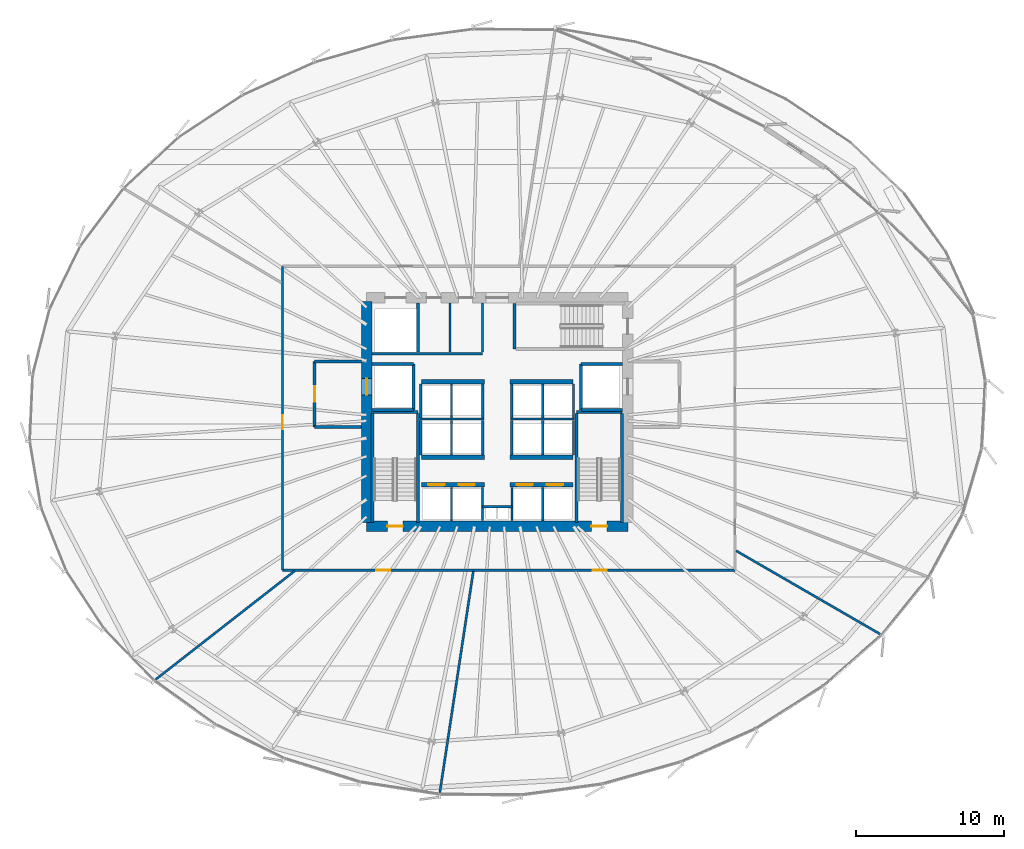
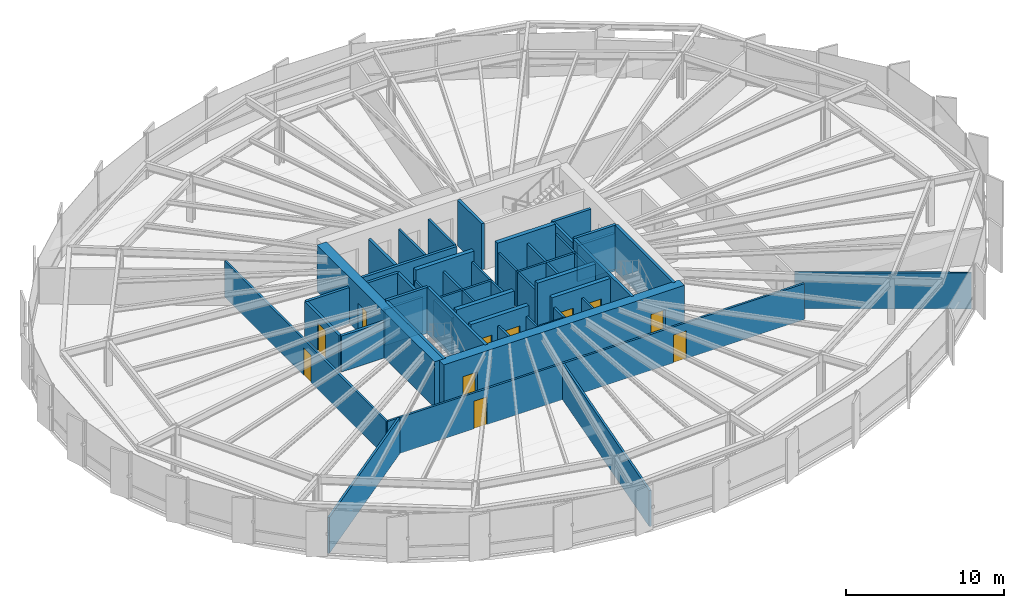
# One storey, part 32 of 39: 52 walls, 11 doors, 11 openings.
"""IFC4 building model written with IfcOpenShell, lengths in metres."""

from ifc_helpers import new_model, si_unit, direction, frame, frame_2d, origin, place, context, subcontext, project, spatial, rectangle, extrude, source, transform, mapped, material, layer, layer_set, type_object, element, fill, save


model = new_model("IFC4")

# Units and contexts
model_context = context("Model", 3, precision=1e-05, world=origin(), true_north=direction((0.0, 1.0)))
body_context = subcontext(model_context, "Body", "Model", "MODEL_VIEW")
ifc_project = project(units=[si_unit("LENGTHUNIT", "METRE"), si_unit("AREAUNIT", "SQUARE_METRE"), si_unit("VOLUMEUNIT", "CUBIC_METRE"), si_unit("PLANEANGLEUNIT", "RADIAN"), si_unit("MASSUNIT", "GRAM", prefix="KILO"), si_unit("THERMODYNAMICTEMPERATUREUNIT", "KELVIN")], contexts=[model_context])

# Site, building, storey
site_placement = place(None, origin())
site = spatial("IfcSite", under=ifc_project, at=site_placement, CompositionType="ELEMENT")
building_placement = place(site_placement, origin())
building = spatial("IfcBuilding", under=site, at=building_placement, Name="Kethvar Cultural Tower", CompositionType="ELEMENT")
storey_placement = place(building_placement, frame((0.0, 0.0, 44.800048828125)))
storey = spatial("IfcBuildingStorey", under=building, at=storey_placement, Name="L10", CompositionType="ELEMENT", Elevation=44.800048828125)

# Wall, openings, doors
ifc_material_1 = material(Name="Concrete C60/75", Category="concrete")
ifc_layer_1 = layer(ifc_material_1, 0.699951171875, Name="Concrete C60/75", Category="concrete")
ifc_layer_set_1 = layer_set([ifc_layer_1], Name="Concrete C60/75 (700 mm)")
wall_type_1 = type_object("IfcWallType", Name="WL-CORE-700", PredefinedType="SHEAR", material=ifc_layer_set_1)
wall_1_placement = place(storey_placement, frame((38.0, 20.10009765625, 0.0), z_axis=(0.0, 0.0, 1.0), x_axis=(1.0, 0.0, 0.0)))
wall_1 = element("IfcWall", 1, at=wall_1_placement, inside=storey, type_object=wall_type_1, Name="L10 Core Shear Wall S", PredefinedType="SHEAR", context=body_context, shape_type="SweptSolid", body=[
    extrude(rectangle(XDim=17.60009765625, YDim=0.699951171875, at=frame_2d((8.800048828125, 0.0))), origin(), (0.0, 0.0, 1.0), 3.550048828125),
])
opening_1_placement = place(wall_1_placement, frame((1.39990234375, 0.0, 0.0)))
opening_1 = element("IfcOpeningElement", 2, at=opening_1_placement, cuts=wall_1, Name="Opening D-L10-S1", PredefinedType="OPENING", context=body_context, shape_type="SweptSolid", body=[
    extrude(rectangle(XDim=1.050048828125, YDim=2.14990234375, at=frame_2d((0.52490234375, 1.074951171875))), frame((0.0, 0.35986328125, 0.0), z_axis=(0.0, -1.0, 0.0), x_axis=(1.0, 0.0, 0.0)), (0.0, 0.0, 1.0), 0.719970703125),
])
opening_2_placement = place(wall_1_placement, frame((15.14990234375, 0.0, 0.0)))
opening_2 = element("IfcOpeningElement", 3, at=opening_2_placement, cuts=wall_1, Name="Opening D-L10-ST2", PredefinedType="OPENING", context=body_context, shape_type="SweptSolid", body=[
    extrude(rectangle(XDim=1.050048828125, YDim=2.14990234375, at=frame_2d((0.52490234375, 1.074951171875))), frame((0.0, 0.35986328125, 0.0), z_axis=(0.0, -1.0, 0.0), x_axis=(1.0, 0.0, 0.0)), (0.0, 0.0, 1.0), 0.719970703125),
])
ifc_material_2 = material(Name="Steel S355J2", Category="steel")
door_type_1 = type_object("IfcDoorType", Name="DR-FD60-1050", OperationType="NOTDEFINED", PredefinedType="DOOR", material=ifc_material_2)
shared_shape_1 = source(origin(), body_context, "Body", "SweptSolid", [
    extrude(rectangle(XDim=1.050048828125, YDim=2.14990234375, at=frame_2d((0.52490234375, 1.074951171875))), frame((0.0, 0.02490234375, 0.0), z_axis=(0.0, -1.0, 0.0), x_axis=(1.0, 0.0, 0.0)), (0.0, 0.0, 1.0), 0.050048828125),
])
door_1_placement = place(opening_1_placement, origin())
door_1 = element("IfcDoor", 4, at=door_1_placement, inside=storey, type_object=door_type_1, Name="L10 Exit Stair 1 Door", OperationType="SINGLE_SWING_LEFT", OverallHeight=2.14990234375, OverallWidth=1.050048828125, PredefinedType="DOOR", context=body_context, shape_type="MappedRepresentation", body=[
    mapped(shared_shape_1, transform((0.0, 0.0, 0.0), scale=1.0)),
])
fill(opening_1, door_1)
door_2_placement = place(opening_2_placement, origin())
door_2 = element("IfcDoor", 5, at=door_2_placement, inside=storey, type_object=door_type_1, Name="L10 Exit Stair 2 Door", OperationType="SINGLE_SWING_RIGHT", OverallHeight=2.14990234375, OverallWidth=1.050048828125, PredefinedType="DOOR", context=body_context, shape_type="MappedRepresentation", body=[
    mapped(shared_shape_1, transform((0.0, 0.0, 0.0), scale=1.0)),
])
fill(opening_2, door_2)

# Wall, opening, door
wall_2_placement = place(storey_placement, frame((38.0, 35.260009765625, 0.0), z_axis=(0.0, 0.0, 1.0), x_axis=(0.0, -1.0, 0.0)))
wall_2 = element("IfcWall", 6, at=wall_2_placement, inside=storey, type_object=wall_type_1, Name="L10 Core Shear Wall W", PredefinedType="SHEAR", context=body_context, shape_type="SweptSolid", body=[
    extrude(rectangle(XDim=14.919921875, YDim=0.699951171875, at=frame_2d((7.4599609375, 0.0))), origin(), (0.0, 0.0, 1.0), 3.550048828125),
])
opening_3_placement = place(wall_2_placement, frame((5.2099609375, 0.0, 0.0)))
opening_3 = element("IfcOpeningElement", 7, at=opening_3_placement, cuts=wall_2, Name="Opening LD-1", PredefinedType="OPENING", context=body_context, shape_type="SweptSolid", body=[
    extrude(rectangle(XDim=1.10009765625, YDim=2.199951171875, at=frame_2d((0.550048828125, 1.10009765625))), frame((0.0, 0.35986328125, 0.0), z_axis=(0.0, -1.0, 0.0), x_axis=(1.0, 0.0, 0.0)), (0.0, 0.0, 1.0), 0.719970703125),
])
door_type_2 = type_object("IfcDoorType", Name="DR-LIFT-SLIDE-1100", OperationType="NOTDEFINED", PredefinedType="DOOR", material=ifc_material_2)
shared_shape_2 = source(origin(), body_context, "Body", "SweptSolid", [
    extrude(rectangle(XDim=1.10009765625, YDim=2.199951171875, at=frame_2d((0.550048828125, 1.10009765625))), frame((0.0, 0.02490234375, 0.0), z_axis=(0.0, -1.0, 0.0), x_axis=(1.0, 0.0, 0.0)), (0.0, 0.0, 1.0), 0.050048828125),
])
door_3_placement = place(opening_3_placement, origin())
door_3 = element("IfcDoor", 8, at=door_3_placement, inside=storey, type_object=door_type_2, Name="L10 Firefighting Lift Landing Door FFL-01", OperationType="SLIDING_TO_LEFT", OverallHeight=2.199951171875, OverallWidth=1.10009765625, PredefinedType="DOOR", context=body_context, shape_type="MappedRepresentation", body=[
    mapped(shared_shape_2, transform((0.0, 0.0, 0.0), scale=1.0)),
])
fill(opening_3, door_3)

# Walls
ifc_material_3 = material(Name="Gypsum Fireboard Partition")
ifc_layer_2 = layer(ifc_material_3, 0.14990234375, Name="Gypsum Fireboard Partition")
ifc_layer_set_2 = layer_set([ifc_layer_2], Name="Gypsum Fireboard Partition (150 mm)")
wall_type_2 = type_object("IfcWallType", Name="WL-FIRE-150", PredefinedType="PARTITIONING", material=ifc_layer_set_2)
wall_3_placement = place(storey_placement, frame((45.800048828125, 21.419921875, 0.0), z_axis=(0.0, 0.0, 1.0), x_axis=(1.0, 0.0, 0.0)))
element("IfcWall", 9, at=wall_3_placement, inside=storey, type_object=wall_type_2, Name="L10 Core Riser Wall", PredefinedType="PARTITIONING", context=body_context, shape_type="SweptSolid", body=[
    extrude(rectangle(XDim=2.0, YDim=0.14990234375, at=frame_2d((1.0, 0.0))), origin(), (0.0, 0.0, 1.0), 2.784912109375),
])
for number, where, z_axis, x_axis, name in (
    (10, (45.800048828125, 20.47998046875, 0.0), (0.0, 0.0, 1.0), (0.0, 1.0, 0.0), "L10 Core Riser West Wall"),
    (11, (47.800048828125, 20.47998046875, 0.0), (0.0, 0.0, 1.0), (0.0, 1.0, 0.0), "L10 Core Riser East Wall"),
):
    element("IfcWall", number, at=place(storey_placement, frame(where, z_axis=z_axis, x_axis=x_axis)), inside=storey, type_object=wall_type_2, Name=name, PredefinedType="PARTITIONING", context=body_context, shape_type="SweptSolid", body=[
        extrude(rectangle(XDim=2.239990234375, YDim=0.14990234375, at=frame_2d((1.1201171875, 0.0))), origin(), (0.0, 0.0, 1.0), 2.784912109375),
    ])
for number, where, z_axis, x_axis, name in (
    (12, (43.72509765625, 20.4599609375, 0.0), (0.0, 0.0, 1.0), (0.0, 1.0, 0.0), "L10 Low-Rise Lift Shaft Divider W"),
    (13, (49.875, 20.4599609375, 0.0), (0.0, 0.0, 1.0), (0.0, 1.0, 0.0), "L10 Low-Rise Lift Shaft Divider E"),
):
    element("IfcWall", number, at=place(storey_placement, frame(where, z_axis=z_axis, x_axis=x_axis)), inside=storey, type_object=wall_type_2, Name=name, PredefinedType="PARTITIONING", context=body_context, shape_type="SweptSolid", body=[
        extrude(rectangle(XDim=2.27001953125, YDim=0.14990234375, at=frame_2d((1.135009765625, 0.0))), origin(), (0.0, 0.0, 1.0), 2.784912109375),
    ])
wall_4_placement = place(storey_placement, frame((41.580078125, 27.324951171875, 0.0), z_axis=(0.0, 0.0, 1.0), x_axis=(1.0, 0.0, 0.0)))
element("IfcWall", 14, at=wall_4_placement, inside=storey, type_object=wall_type_2, Name="L10 Mid-High Lift Shaft Back Wall W", PredefinedType="PARTITIONING", context=body_context, shape_type="SweptSolid", body=[
    extrude(rectangle(XDim=4.31982421875, YDim=0.14990234375, at=frame_2d((2.159912109375, 0.0))), origin(), (0.0, 0.0, 1.0), 2.784912109375),
])
wall_5_placement = place(storey_placement, frame((47.699951171875, 27.324951171875, 0.0), z_axis=(0.0, 0.0, 1.0), x_axis=(1.0, 0.0, 0.0)))
element("IfcWall", 15, at=wall_5_placement, inside=storey, type_object=wall_type_2, Name="L10 Mid-High Lift Shaft Back Wall E", PredefinedType="PARTITIONING", context=body_context, shape_type="SweptSolid", body=[
    extrude(rectangle(XDim=4.320068359375, YDim=0.14990234375, at=frame_2d((2.16015625, 0.0))), origin(), (0.0, 0.0, 1.0), 2.784912109375),
])
for number, where, z_axis, x_axis, name in (
    (16, (41.64990234375, 24.919921875, 0.0), (0.0, 0.0, 1.0), (0.0, 1.0, 0.0), "L10 Mid-Rise Lift Shaft Outer Wall W"),
    (17, (43.72509765625, 24.919921875, 0.0), (0.0, 0.0, 1.0), (0.0, 1.0, 0.0), "L10 Mid-Rise Lift Shaft Divider W"),
    (18, (45.824951171875, 24.919921875, 0.0), (0.0, 0.0, 1.0), (0.0, 1.0, 0.0), "L10 Mid-Rise Lift Shaft Concourse Wall W"),
    (19, (47.77490234375, 24.919921875, 0.0), (0.0, 0.0, 1.0), (0.0, 1.0, 0.0), "L10 Mid-Rise Lift Shaft Concourse Wall E"),
    (20, (49.875, 24.919921875, 0.0), (0.0, 0.0, 1.0), (0.0, 1.0, 0.0), "L10 Mid-Rise Lift Shaft Divider E"),
    (21, (51.949951171875, 24.919921875, 0.0), (0.0, 0.0, 1.0), (0.0, 1.0, 0.0), "L10 Mid-Rise Lift Shaft Outer Wall E"),
):
    element("IfcWall", number, at=place(storey_placement, frame(where, z_axis=z_axis, x_axis=x_axis)), inside=storey, type_object=wall_type_2, Name=name, PredefinedType="PARTITIONING", context=body_context, shape_type="SweptSolid", body=[
        extrude(rectangle(XDim=2.320068359375, YDim=0.14990234375, at=frame_2d((1.16015625, 0.0))), origin(), (0.0, 0.0, 1.0), 2.784912109375),
    ])
for number, where, z_axis, x_axis, name in (
    (22, (41.64990234375, 27.409912109375, 0.0), (0.0, 0.0, 1.0), (0.0, 1.0, 0.0), "L10 High-Rise Lift Shaft Outer Wall W"),
    (23, (43.72509765625, 27.409912109375, 0.0), (0.0, 0.0, 1.0), (0.0, 1.0, 0.0), "L10 High-Rise Lift Shaft Divider W"),
    (24, (45.824951171875, 27.409912109375, 0.0), (0.0, 0.0, 1.0), (0.0, 1.0, 0.0), "L10 High-Rise Lift Shaft Concourse Wall W"),
    (25, (47.77490234375, 27.409912109375, 0.0), (0.0, 0.0, 1.0), (0.0, 1.0, 0.0), "L10 High-Rise Lift Shaft Concourse Wall E"),
    (26, (49.875, 27.409912109375, 0.0), (0.0, 0.0, 1.0), (0.0, 1.0, 0.0), "L10 High-Rise Lift Shaft Divider E"),
    (27, (51.949951171875, 27.409912109375, 0.0), (0.0, 0.0, 1.0), (0.0, 1.0, 0.0), "L10 High-Rise Lift Shaft Outer Wall E"),
):
    element("IfcWall", number, at=place(storey_placement, frame(where, z_axis=z_axis, x_axis=x_axis)), inside=storey, type_object=wall_type_2, Name=name, PredefinedType="PARTITIONING", context=body_context, shape_type="SweptSolid", body=[
        extrude(rectangle(XDim=2.27001953125, YDim=0.14990234375, at=frame_2d((1.135009765625, 0.0))), origin(), (0.0, 0.0, 1.0), 2.784912109375),
    ])
wall_6_placement = place(storey_placement, frame((45.800048828125, 31.85009765625, 0.0), z_axis=(0.0, 0.0, 1.0), x_axis=(0.0, 1.0, 0.0)))
element("IfcWall", 28, at=wall_6_placement, inside=storey, type_object=wall_type_2, Name="L10 Sanitary Spine Wall", PredefinedType="PARTITIONING", context=body_context, shape_type="SweptSolid", body=[
    extrude(rectangle(XDim=3.289794921875, YDim=0.14990234375, at=frame_2d((1.64501953125, 0.0))), origin(), (0.0, 0.0, 1.0), 2.784912109375),
])

# Wall, openings, doors
wall_7_placement = place(storey_placement, frame((32.330078125, 17.139892578125, 0.0), z_axis=(0.0, 0.0, 1.0), x_axis=(1.0, 0.0, 0.0)))
wall_7 = element("IfcWall", 29, at=wall_7_placement, inside=storey, type_object=wall_type_2, Name="L10 Corridor Rated Wall S", PredefinedType="PARTITIONING", context=body_context, shape_type="SweptSolid", body=[
    extrude(rectangle(XDim=30.5, YDim=0.14990234375, at=frame_2d((15.25, 0.0))), origin(), (0.0, 0.0, 1.0), 2.784912109375),
])
opening_4_placement = place(wall_7_placement, frame((6.31591796875, 0.0, 0.0)))
opening_4 = element("IfcOpeningElement", 30, at=opening_4_placement, cuts=wall_7, Name="Opening D-L10-01", PredefinedType="OPENING", context=body_context, shape_type="SweptSolid", body=[
    extrude(rectangle(XDim=0.949951171875, YDim=2.14990234375, at=frame_2d((0.47509765625, 1.074951171875))), frame((0.0, 0.0849609375, 0.0), z_axis=(0.0, -1.0, 0.0), x_axis=(1.0, 0.0, 0.0)), (0.0, 0.0, 1.0), 0.169921875),
])
opening_5_placement = place(wall_7_placement, frame((20.918212890625, 0.0, 0.0)))
opening_5 = element("IfcOpeningElement", 31, at=opening_5_placement, cuts=wall_7, Name="Opening D-L10-02", PredefinedType="OPENING", context=body_context, shape_type="SweptSolid", body=[
    extrude(rectangle(XDim=0.949951171875, YDim=2.14990234375, at=frame_2d((0.47509765625, 1.074951171875))), frame((0.0, 0.0849609375, 0.0), z_axis=(0.0, -1.0, 0.0), x_axis=(1.0, 0.0, 0.0)), (0.0, 0.0, 1.0), 0.169921875),
])
ifc_material_4 = material(Name="Architectural Oak Timber", Category="wood")
door_type_3 = type_object("IfcDoorType", Name="DR-FD30-950", OperationType="NOTDEFINED", PredefinedType="DOOR", material=ifc_material_4)
shared_shape_3 = source(origin(), body_context, "Body", "SweptSolid", [
    extrude(rectangle(XDim=0.949951171875, YDim=2.14990234375, at=frame_2d((0.47509765625, 1.074951171875))), frame((0.0, 0.02490234375, 0.0), z_axis=(0.0, -1.0, 0.0), x_axis=(1.0, 0.0, 0.0)), (0.0, 0.0, 1.0), 0.050048828125),
])
door_4_placement = place(opening_4_placement, origin())
door_4 = element("IfcDoor", 32, at=door_4_placement, inside=storey, type_object=door_type_3, Name="L10 Institutional Tenant Office 01 Door", OperationType="SINGLE_SWING_LEFT", OverallHeight=2.14990234375, OverallWidth=0.949951171875, PredefinedType="DOOR", context=body_context, shape_type="MappedRepresentation", body=[
    mapped(shared_shape_3, transform((0.0, 0.0, 0.0), scale=1.0)),
])
fill(opening_4, door_4)
door_5_placement = place(opening_5_placement, origin())
door_5 = element("IfcDoor", 33, at=door_5_placement, inside=storey, type_object=door_type_3, Name="L10 Editorial Partner Office 02 Door", OperationType="SINGLE_SWING_RIGHT", OverallHeight=2.14990234375, OverallWidth=0.949951171875, PredefinedType="DOOR", context=body_context, shape_type="MappedRepresentation", body=[
    mapped(shared_shape_3, transform((0.0, 0.0, 0.0), scale=1.0)),
])
fill(opening_5, door_5)

# Wall, opening, door
wall_8_placement = place(storey_placement, frame((32.330078125, 37.6201171875, 0.0), z_axis=(0.0, 0.0, 1.0), x_axis=(0.0, -1.0, 0.0)))
wall_8 = element("IfcWall", 34, at=wall_8_placement, inside=storey, type_object=wall_type_2, Name="L10 Corridor Rated Wall W", PredefinedType="PARTITIONING", context=body_context, shape_type="SweptSolid", body=[
    extrude(rectangle(XDim=20.480224609375, YDim=0.14990234375, at=frame_2d((10.240234375, 0.0))), origin(), (0.0, 0.0, 1.0), 2.784912109375),
])
opening_6_placement = place(wall_8_placement, frame((10.02783203125, 0.0, 0.0)))
opening_6 = element("IfcOpeningElement", 35, at=opening_6_placement, cuts=wall_8, Name="Opening D-L10-07", PredefinedType="OPENING", context=body_context, shape_type="SweptSolid", body=[
    extrude(rectangle(XDim=0.949951171875, YDim=2.14990234375, at=frame_2d((0.47509765625, 1.074951171875))), frame((0.0, 0.0849609375, 0.0), z_axis=(0.0, -1.0, 0.0), x_axis=(1.0, 0.0, 0.0)), (0.0, 0.0, 1.0), 0.169921875),
])
door_6_placement = place(opening_6_placement, origin())
door_6 = element("IfcDoor", 36, at=door_6_placement, inside=storey, type_object=door_type_3, Name="L10 Curatorial Concierge Foyer 07 Door", OperationType="SINGLE_SWING_LEFT", OverallHeight=2.14990234375, OverallWidth=0.949951171875, PredefinedType="DOOR", context=body_context, shape_type="MappedRepresentation", body=[
    mapped(shared_shape_3, transform((0.0, 0.0, 0.0), scale=1.0)),
])
fill(opening_6, door_6)

# Walls
ifc_material_5 = material(Name="Concrete C40/50", Category="concrete")
ifc_layer_3 = layer(ifc_material_5, 0.199951171875, Name="Concrete C40/50", Category="concrete")
ifc_layer_set_3 = layer_set([ifc_layer_3], Name="Concrete C40/50 (200 mm)")
wall_type_3 = type_object("IfcWallType", Name="WL-FIRE-200", PredefinedType="PARTITIONING", material=ifc_layer_set_3)
wall_9_placement = place(storey_placement, frame((41.14990234375, 27.949951171875, 0.0), z_axis=(0.0, 0.0, 1.0), x_axis=(0.0, 1.0, 0.0)))
element("IfcWall", 37, at=wall_9_placement, inside=storey, type_object=wall_type_3, Name="L10 FFL-01 Shaft Inner Wall", PredefinedType="PARTITIONING", context=body_context, shape_type="SweptSolid", body=[
    extrude(rectangle(XDim=3.10009765625, YDim=0.199951171875, at=frame_2d((1.550048828125, 0.0))), origin(), (0.0, 0.0, 1.0), 2.784912109375),
])
for number, where, z_axis, x_axis, name in (
    (38, (38.360107421875, 27.949951171875, 0.0), (0.0, 0.0, 1.0), (1.0, 0.0, 0.0), "L10 FFL-01 Shaft South Wall"),
    (39, (38.360107421875, 31.050048828125, 0.0), (0.0, 0.0, 1.0), (1.0, 0.0, 0.0), "L10 FFL-01 Shaft North Wall"),
):
    element("IfcWall", number, at=place(storey_placement, frame(where, z_axis=z_axis, x_axis=x_axis)), inside=storey, type_object=wall_type_3, Name=name, PredefinedType="PARTITIONING", context=body_context, shape_type="SweptSolid", body=[
        extrude(rectangle(XDim=2.789794921875, YDim=0.199951171875, at=frame_2d((1.39501953125, 0.0))), origin(), (0.0, 0.0, 1.0), 2.784912109375),
    ])

# Wall, opening, door
wall_10_placement = place(storey_placement, frame((34.5, 31.199951171875, 0.0), z_axis=(0.0, 0.0, 1.0), x_axis=(0.0, -1.0, 0.0)))
wall_10 = element("IfcWall", 40, at=wall_10_placement, inside=storey, type_object=wall_type_3, Name="L10 Firefighting Lobby 1 Wall", PredefinedType="PARTITIONING", context=body_context, shape_type="SweptSolid", body=[
    extrude(rectangle(XDim=4.39990234375, YDim=0.199951171875, at=frame_2d((2.199951171875, 0.0))), origin(), (0.0, 0.0, 1.0), 2.784912109375),
])
opening_7_placement = place(wall_10_placement, frame((1.64990234375, 0.0, 0.0)))
opening_7 = element("IfcOpeningElement", 41, at=opening_7_placement, cuts=wall_10, Name="Opening D-L10-F1", PredefinedType="OPENING", context=body_context, shape_type="SweptSolid", body=[
    extrude(rectangle(XDim=1.050048828125, YDim=2.14990234375, at=frame_2d((0.52490234375, 1.074951171875))), frame((0.0, 0.10986328125, 0.0), z_axis=(0.0, -1.0, 0.0), x_axis=(1.0, 0.0, 0.0)), (0.0, 0.0, 1.0), 0.219970703125),
])
door_7_placement = place(opening_7_placement, origin())
door_7 = element("IfcDoor", 42, at=door_7_placement, inside=storey, type_object=door_type_1, Name="L10 Firefighting Lobby 1 Fire Door", OperationType="SINGLE_SWING_LEFT", OverallHeight=2.14990234375, OverallWidth=1.050048828125, PredefinedType="DOOR", context=body_context, shape_type="MappedRepresentation", body=[
    mapped(shared_shape_1, transform((0.0, 0.0, 0.0), scale=1.0)),
])
fill(opening_7, door_7)

# Walls
for number, where, z_axis, x_axis, name in (
    (43, (34.5, 26.800048828125, 0.0), (0.0, 0.0, 1.0), (1.0, 0.0, 0.0), "L10 FF Lobby 1 South Wall"),
    (44, (34.5, 31.199951171875, 0.0), (0.0, 0.0, 1.0), (1.0, 0.0, 0.0), "L10 FF Lobby 1 North Wall"),
):
    element("IfcWall", number, at=place(storey_placement, frame(where, z_axis=z_axis, x_axis=x_axis)), inside=storey, type_object=wall_type_3, Name=name, PredefinedType="PARTITIONING", context=body_context, shape_type="SweptSolid", body=[
        extrude(rectangle(XDim=3.139892578125, YDim=0.199951171875, at=frame_2d((1.56982421875, 0.0))), origin(), (0.0, 0.0, 1.0), 2.784912109375),
    ])
wall_11_placement = place(storey_placement, frame((52.449951171875, 27.949951171875, 0.0), z_axis=(0.0, 0.0, 1.0), x_axis=(0.0, 1.0, 0.0)))
element("IfcWall", 45, at=wall_11_placement, inside=storey, type_object=wall_type_3, Name="L10 FFL-02 Shaft Inner Wall", PredefinedType="PARTITIONING", context=body_context, shape_type="SweptSolid", body=[
    extrude(rectangle(XDim=3.10009765625, YDim=0.199951171875, at=frame_2d((1.550048828125, 0.0))), origin(), (0.0, 0.0, 1.0), 2.784912109375),
])
for number, where, z_axis, x_axis, name in (
    (46, (52.449951171875, 27.949951171875, 0.0), (0.0, 0.0, 1.0), (1.0, 0.0, 0.0), "L10 FFL-02 Shaft South Wall"),
    (47, (52.449951171875, 31.050048828125, 0.0), (0.0, 0.0, 1.0), (1.0, 0.0, 0.0), "L10 FFL-02 Shaft North Wall"),
):
    element("IfcWall", number, at=place(storey_placement, frame(where, z_axis=z_axis, x_axis=x_axis)), inside=storey, type_object=wall_type_3, Name=name, PredefinedType="PARTITIONING", context=body_context, shape_type="SweptSolid", body=[
        extrude(rectangle(XDim=2.7900390625, YDim=0.199951171875, at=frame_2d((1.39501953125, 0.0))), origin(), (0.0, 0.0, 1.0), 2.784912109375),
    ])
wall_12_placement = place(storey_placement, frame((41.449951171875, 31.85009765625, 0.0), z_axis=(0.0, 0.0, 1.0), x_axis=(0.0, 1.0, 0.0)))
element("IfcWall", 48, at=wall_12_placement, inside=storey, type_object=wall_type_3, Name="L10 NW Core Pocket Wall", PredefinedType="PARTITIONING", context=body_context, shape_type="SweptSolid", body=[
    extrude(rectangle(XDim=3.289794921875, YDim=0.199951171875, at=frame_2d((1.64501953125, 0.0))), origin(), (0.0, 0.0, 1.0), 2.784912109375),
])
wall_13_placement = place(storey_placement, frame((38.360107421875, 31.72998046875, 0.0), z_axis=(0.0, 0.0, 1.0), x_axis=(1.0, 0.0, 0.0)))
element("IfcWall", 49, at=wall_13_placement, inside=storey, type_object=wall_type_3, Name="L10 North Core Sanitary South Wall", PredefinedType="PARTITIONING", context=body_context, shape_type="SweptSolid", body=[
    extrude(rectangle(XDim=7.43994140625, YDim=0.199951171875, at=frame_2d((3.719970703125, 0.0))), origin(), (0.0, 0.0, 1.0), 2.784912109375),
])
ifc_material_6 = material(Name="Gypsum Acoustic Partition")
ifc_layer_4 = layer(ifc_material_6, 0.14990234375, Name="Gypsum Acoustic Partition")
ifc_layer_set_4 = layer_set([ifc_layer_4], Name="Gypsum Acoustic Partition (150 mm)")
wall_type_4 = type_object("IfcWallType", Name="WL-PART-150", PredefinedType="PARTITIONING", material=ifc_layer_set_4)
wall_14_placement = place(storey_placement, frame((33.153076171875, 17.0908203125, 0.0), z_axis=(0.0, 0.0, 1.0), x_axis=(-0.788396026169, -0.61516803064, 0.0)))
element("IfcWall", 50, at=wall_14_placement, inside=storey, type_object=wall_type_4, Name="L10 Radial Partition Wall 01", PredefinedType="PARTITIONING", context=body_context, shape_type="SweptSolid", body=[
    extrude(rectangle(XDim=11.876708984375, YDim=0.14990234375, at=frame_2d((5.9384765625, 0.0))), origin(), (0.0, 0.0, 1.0), 2.784912109375),
])
wall_15_placement = place(storey_placement, frame((45.1875, 17.060791015625, 0.0), z_axis=(0.0, 0.0, 1.0), x_axis=(-0.149578810885, -0.988749806237, 0.0)))
element("IfcWall", 51, at=wall_15_placement, inside=storey, type_object=wall_type_4, Name="L10 Radial Partition Wall 02", PredefinedType="PARTITIONING", context=body_context, shape_type="SweptSolid", body=[
    extrude(rectangle(XDim=15.066650390625, YDim=0.14990234375, at=frame_2d((7.533203125, 0.0))), origin(), (0.0, 0.0, 1.0), 2.784912109375),
])
wall_16_placement = place(storey_placement, frame((62.899169921875, 18.450439453125, 0.0), z_axis=(0.0, 0.0, 1.0), x_axis=(0.865582468035, -0.500766403656, 0.0)))
element("IfcWall", 52, at=wall_16_placement, inside=storey, type_object=wall_type_4, Name="L10 Radial Partition Wall 03", PredefinedType="PARTITIONING", context=body_context, shape_type="SweptSolid", body=[
    extrude(rectangle(XDim=11.19873046875, YDim=0.14990234375, at=frame_2d((5.599365234375, 0.0))), origin(), (0.0, 0.0, 1.0), 2.784912109375),
])
ifc_material_7 = material(Name="Moisture-Resistant Sanitary Chase Wall")
ifc_layer_5 = layer(ifc_material_7, 0.14990234375, Name="Moisture-Resistant Sanitary Chase Wall")
ifc_layer_set_5 = layer_set([ifc_layer_5], Name="Moisture-Resistant Sanitary Chase Wall (150 mm)")
wall_type_5 = type_object("IfcWallType", Name="WL-PLUMB-150", PredefinedType="PLUMBINGWALL", material=ifc_layer_set_5)
wall_17_placement = place(storey_placement, frame((43.6201171875, 31.85009765625, 0.0), z_axis=(0.0, 0.0, 1.0), x_axis=(0.0, 1.0, 0.0)))
element("IfcWall", 53, at=wall_17_placement, inside=storey, type_object=wall_type_5, Name="L10 Sanitary Plumbing Wall", PredefinedType="PLUMBINGWALL", context=body_context, shape_type="SweptSolid", body=[
    extrude(rectangle(XDim=3.289794921875, YDim=0.14990234375, at=frame_2d((1.64501953125, 0.0))), origin(), (0.0, 0.0, 1.0), 2.784912109375),
])

# Wall, openings, doors
ifc_material_8 = material(Name="Concrete C50/60", Category="concrete")
ifc_layer_6 = layer(ifc_material_8, 0.300048828125, Name="Concrete C50/60", Category="concrete")
ifc_layer_set_6 = layer_set([ifc_layer_6], Name="Concrete C50/60 (300 mm)")
wall_type_6 = type_object("IfcWallType", Name="WL-SHAFT-300", PredefinedType="SHEAR", material=ifc_layer_set_6)
wall_18_placement = place(storey_placement, frame((41.699951171875, 22.89990234375, 0.0), z_axis=(0.0, 0.0, 1.0), x_axis=(1.0, 0.0, 0.0)))
wall_18 = element("IfcWall", 54, at=wall_18_placement, inside=storey, type_object=wall_type_6, Name="L10 Core Lift Spine Wall MID1W", PredefinedType="SHEAR", context=body_context, shape_type="SweptSolid", body=[
    extrude(rectangle(XDim=4.25, YDim=0.300048828125, at=frame_2d((2.125, 0.0))), origin(), (0.0, 0.0, 1.0), 3.550048828125),
])
opening_8_placement = place(wall_18_placement, frame((0.449951171875, 0.0, 0.0)))
opening_8 = element("IfcOpeningElement", 55, at=opening_8_placement, cuts=wall_18, Name="Opening LD-L1", PredefinedType="OPENING", context=body_context, shape_type="SweptSolid", body=[
    extrude(rectangle(XDim=1.10009765625, YDim=2.199951171875, at=frame_2d((0.550048828125, 1.10009765625))), frame((0.0, 0.159912109375, 0.0), z_axis=(0.0, -1.0, 0.0), x_axis=(1.0, 0.0, 0.0)), (0.0, 0.0, 1.0), 0.320068359375),
])
opening_9_placement = place(wall_18_placement, frame((2.5, 0.0, 0.0)))
opening_9 = element("IfcOpeningElement", 56, at=opening_9_placement, cuts=wall_18, Name="Opening LD-L2", PredefinedType="OPENING", context=body_context, shape_type="SweptSolid", body=[
    extrude(rectangle(XDim=1.10009765625, YDim=2.199951171875, at=frame_2d((0.550048828125, 1.10009765625))), frame((0.0, 0.159912109375, 0.0), z_axis=(0.0, -1.0, 0.0), x_axis=(1.0, 0.0, 0.0)), (0.0, 0.0, 1.0), 0.320068359375),
])
door_8_placement = place(opening_8_placement, origin())
door_8 = element("IfcDoor", 57, at=door_8_placement, inside=storey, type_object=door_type_2, Name="L10 Low-Rise Lift Landing Door L1", OperationType="SLIDING_TO_LEFT", OverallHeight=2.199951171875, OverallWidth=1.10009765625, PredefinedType="DOOR", context=body_context, shape_type="MappedRepresentation", body=[
    mapped(shared_shape_2, transform((0.0, 0.0, 0.0), scale=1.0)),
])
fill(opening_8, door_8)
door_9_placement = place(opening_9_placement, origin())
door_9 = element("IfcDoor", 58, at=door_9_placement, inside=storey, type_object=door_type_2, Name="L10 Low-Rise Lift Landing Door L2", OperationType="SLIDING_TO_LEFT", OverallHeight=2.199951171875, OverallWidth=1.10009765625, PredefinedType="DOOR", context=body_context, shape_type="MappedRepresentation", body=[
    mapped(shared_shape_2, transform((0.0, 0.0, 0.0), scale=1.0)),
])
fill(opening_9, door_9)

wall_19_placement = place(storey_placement, frame((47.64990234375, 22.89990234375, 0.0), z_axis=(0.0, 0.0, 1.0), x_axis=(1.0, 0.0, 0.0)))
wall_19 = element("IfcWall", 59, at=wall_19_placement, inside=storey, type_object=wall_type_6, Name="L10 Core Lift Spine Wall MID1E", PredefinedType="SHEAR", context=body_context, shape_type="SweptSolid", body=[
    extrude(rectangle(XDim=4.25, YDim=0.300048828125, at=frame_2d((2.125, 0.0))), origin(), (0.0, 0.0, 1.0), 3.550048828125),
])
opening_10_placement = place(wall_19_placement, frame((0.449951171875, 0.0, 0.0)))
opening_10 = element("IfcOpeningElement", 60, at=opening_10_placement, cuts=wall_19, Name="Opening LD-L3", PredefinedType="OPENING", context=body_context, shape_type="SweptSolid", body=[
    extrude(rectangle(XDim=1.10009765625, YDim=2.199951171875, at=frame_2d((0.550048828125, 1.10009765625))), frame((0.0, 0.159912109375, 0.0), z_axis=(0.0, -1.0, 0.0), x_axis=(1.0, 0.0, 0.0)), (0.0, 0.0, 1.0), 0.320068359375),
])
opening_11_placement = place(wall_19_placement, frame((2.5, 0.0, 0.0)))
opening_11 = element("IfcOpeningElement", 61, at=opening_11_placement, cuts=wall_19, Name="Opening LD-L4", PredefinedType="OPENING", context=body_context, shape_type="SweptSolid", body=[
    extrude(rectangle(XDim=1.10009765625, YDim=2.199951171875, at=frame_2d((0.550048828125, 1.10009765625))), frame((0.0, 0.159912109375, 0.0), z_axis=(0.0, -1.0, 0.0), x_axis=(1.0, 0.0, 0.0)), (0.0, 0.0, 1.0), 0.320068359375),
])
door_10_placement = place(opening_10_placement, origin())
door_10 = element("IfcDoor", 62, at=door_10_placement, inside=storey, type_object=door_type_2, Name="L10 Low-Rise Lift Landing Door L3", OperationType="SLIDING_TO_LEFT", OverallHeight=2.199951171875, OverallWidth=1.10009765625, PredefinedType="DOOR", context=body_context, shape_type="MappedRepresentation", body=[
    mapped(shared_shape_2, transform((0.0, 0.0, 0.0), scale=1.0)),
])
fill(opening_10, door_10)
door_11_placement = place(opening_11_placement, origin())
door_11 = element("IfcDoor", 63, at=door_11_placement, inside=storey, type_object=door_type_2, Name="L10 Low-Rise Lift Landing Door L4", OperationType="SLIDING_TO_LEFT", OverallHeight=2.199951171875, OverallWidth=1.10009765625, PredefinedType="DOOR", context=body_context, shape_type="MappedRepresentation", body=[
    mapped(shared_shape_2, transform((0.0, 0.0, 0.0), scale=1.0)),
])
fill(opening_11, door_11)

# Walls
for number, where, z_axis, x_axis, name in (
    (64, (41.699951171875, 24.75, 0.0), (0.0, 0.0, 1.0), (1.0, 0.0, 0.0), "L10 Core Lift Spine Wall MID2W"),
    (65, (47.64990234375, 24.75, 0.0), (0.0, 0.0, 1.0), (1.0, 0.0, 0.0), "L10 Core Lift Spine Wall MID2E"),
    (66, (41.699951171875, 29.85009765625, 0.0), (0.0, 0.0, 1.0), (1.0, 0.0, 0.0), "L10 Core Lift Spine Wall MID3W"),
    (67, (47.64990234375, 29.85009765625, 0.0), (0.0, 0.0, 1.0), (1.0, 0.0, 0.0), "L10 Core Lift Spine Wall MID3E"),
):
    element("IfcWall", number, at=place(storey_placement, frame(where, z_axis=z_axis, x_axis=x_axis)), inside=storey, type_object=wall_type_6, Name=name, PredefinedType="SHEAR", context=body_context, shape_type="SweptSolid", body=[
        extrude(rectangle(XDim=4.25, YDim=0.300048828125, at=frame_2d((2.125, 0.0))), origin(), (0.0, 0.0, 1.0), 3.550048828125),
    ])
ifc_layer_7 = layer(ifc_material_8, 0.199951171875, Name="Concrete C50/60", Category="concrete")
ifc_layer_set_7 = layer_set([ifc_layer_7], Name="Concrete C50/60 (200 mm)")
wall_type_7 = type_object("IfcWallType", Name="WL-STSHAFT-200", PredefinedType="SHEAR", material=ifc_layer_set_7)
wall_20_placement = place(storey_placement, frame((38.389892578125, 27.800048828125, 0.0), z_axis=(0.0, 0.0, 1.0), x_axis=(1.0, 0.0, 0.0)))
element("IfcWall", 68, at=wall_20_placement, inside=storey, type_object=wall_type_7, Name="L10 ST-01 Stair Shaft Wall FAR", PredefinedType="SHEAR", context=body_context, shape_type="SweptSolid", body=[
    extrude(rectangle(XDim=3.06005859375, YDim=0.199951171875, at=frame_2d((1.530029296875, 0.0))), origin(), (0.0, 0.0, 1.0), 3.550048828125),
])
for number, where, z_axis, x_axis, name in (
    (69, (41.449951171875, 27.699951171875, 0.0), (0.0, 0.0, 1.0), (0.0, -1.0, 0.0), "L10 ST-01 Stair Shaft Wall LEFT"),
    (70, (38.389892578125, 20.35009765625, 0.0), (0.0, 0.0, 1.0), (0.0, 1.0, 0.0), "L10 ST-01 Stair Shaft Wall RIGHT"),
):
    element("IfcWall", number, at=place(storey_placement, frame(where, z_axis=z_axis, x_axis=x_axis)), inside=storey, type_object=wall_type_7, Name=name, PredefinedType="SHEAR", context=body_context, shape_type="SweptSolid", body=[
        extrude(rectangle(XDim=7.349853515625, YDim=0.199951171875, at=frame_2d((3.6748046875, 0.0))), origin(), (0.0, 0.0, 1.0), 3.550048828125),
    ])
wall_21_placement = place(storey_placement, frame((52.14990234375, 27.800048828125, 0.0), z_axis=(0.0, 0.0, 1.0), x_axis=(1.0, 0.0, 0.0)))
element("IfcWall", 71, at=wall_21_placement, inside=storey, type_object=wall_type_7, Name="L10 ST-02 Stair Shaft Wall FAR", PredefinedType="SHEAR", context=body_context, shape_type="SweptSolid", body=[
    extrude(rectangle(XDim=3.06005859375, YDim=0.199951171875, at=frame_2d((1.530029296875, 0.0))), origin(), (0.0, 0.0, 1.0), 3.550048828125),
])
for number, where, z_axis, x_axis, name in (
    (72, (55.2099609375, 27.699951171875, 0.0), (0.0, 0.0, 1.0), (0.0, -1.0, 0.0), "L10 ST-02 Stair Shaft Wall LEFT"),
    (73, (52.14990234375, 20.35009765625, 0.0), (0.0, 0.0, 1.0), (0.0, 1.0, 0.0), "L10 ST-02 Stair Shaft Wall RIGHT"),
):
    element("IfcWall", number, at=place(storey_placement, frame(where, z_axis=z_axis, x_axis=x_axis)), inside=storey, type_object=wall_type_7, Name=name, PredefinedType="SHEAR", context=body_context, shape_type="SweptSolid", body=[
        extrude(rectangle(XDim=7.349853515625, YDim=0.199951171875, at=frame_2d((3.6748046875, 0.0))), origin(), (0.0, 0.0, 1.0), 3.550048828125),
    ])
wall_22_placement = place(storey_placement, frame((47.949951171875, 32.050048828125, 0.0), z_axis=(0.0, 0.0, 1.0), x_axis=(0.0, 1.0, 0.0)))
element("IfcWall", 74, at=wall_22_placement, inside=storey, type_object=wall_type_7, Name="L10 ST-03 Stair Shaft Wall FAR", PredefinedType="SHEAR", context=body_context, shape_type="SweptSolid", body=[
    extrude(rectangle(XDim=3.06005859375, YDim=0.199951171875, at=frame_2d((1.530029296875, 0.0))), origin(), (0.0, 0.0, 1.0), 3.550048828125),
])

save(model, "model.ifc")
